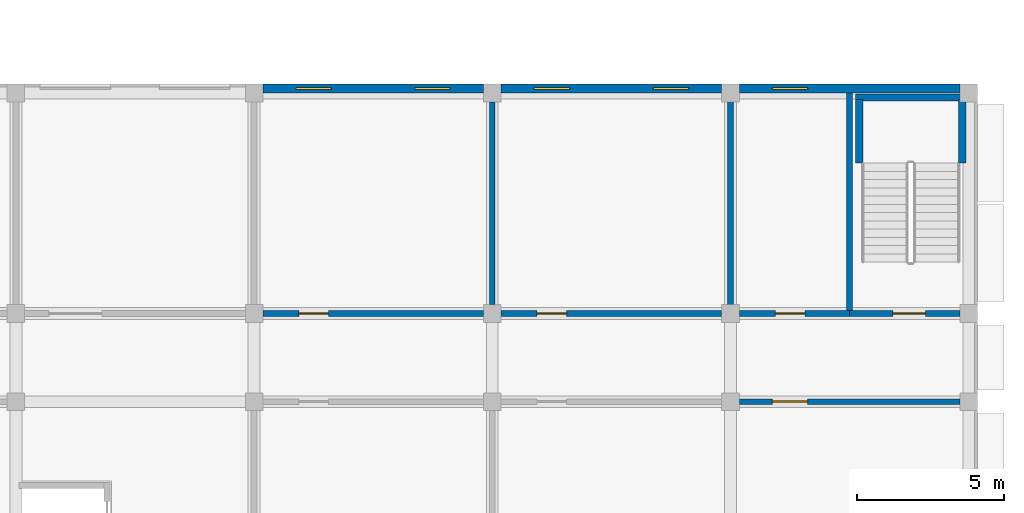
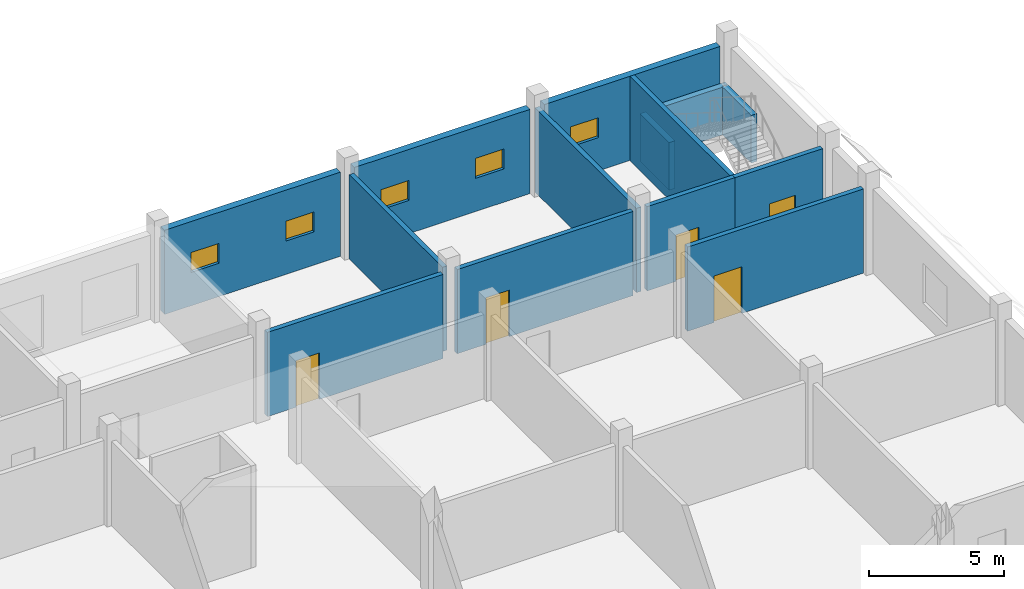
# One storey, part 28 of 38: 14 walls, 5 doors, 5 windows, 10 openings.
"""IFC4 building model written with IfcOpenShell, lengths in metres."""

from ifc_helpers import new_model, si_unit, direction, frame, frame_2d, origin, place, context, subcontext, project, spatial, rectangle, extrude, material, layer, layer_set, type_object, element, fill, save


model = new_model("IFC4")

# Units and contexts
model_context = context("Model", 3, precision=1e-05, world=origin(), true_north=direction((0.0, 1.0)))
body_context = subcontext(model_context, "Body", "Model", "MODEL_VIEW")
ifc_project = project(units=[si_unit("LENGTHUNIT", "METRE"), si_unit("AREAUNIT", "SQUARE_METRE"), si_unit("VOLUMEUNIT", "CUBIC_METRE"), si_unit("PLANEANGLEUNIT", "RADIAN"), si_unit("MASSUNIT", "GRAM", prefix="KILO")], contexts=[model_context])

# Site, building, storey
site_placement = place(None, origin())
site = spatial("IfcSite", under=ifc_project, at=site_placement, CompositionType="ELEMENT")
building_placement = place(site_placement, origin())
building = spatial("IfcBuilding", under=site, at=building_placement, Name="Frailejon Research Tower", CompositionType="ELEMENT")
storey_placement = place(building_placement, frame((0.0, 0.0, 5.60009765625)))
storey = spatial("IfcBuildingStorey", under=building, at=storey_placement, Name="L01", CompositionType="ELEMENT", Elevation=5.60009765625)

# Wall, openings, windows
ifc_material_1 = material(Name="Insulated masonry cavity wall", Category="masonry")
ifc_layer_1 = layer(ifc_material_1, 0.300048828125)
ifc_layer_set_1 = layer_set([ifc_layer_1], Name="HC facade wall 300")
wall_type_1 = type_object("IfcWallType", Name="HC facade wall 300", PredefinedType="SOLIDWALL", material=ifc_layer_set_1)
wall_1_placement = place(storey_placement, frame((77.199951171875, 20.39990234375, 0.0), z_axis=(0.0, 0.0, 1.0), x_axis=(1.0, 0.0, 0.0)))
wall_1 = element("IfcWall", 1, at=wall_1_placement, inside=storey, type_object=wall_type_1, Name="HC facade wall", PredefinedType="SOLIDWALL", context=body_context, shape_type="SweptSolid", body=[
    extrude(rectangle(XDim=7.5, YDim=0.300048828125, at=frame_2d((3.75, 0.0))), origin(), (0.0, 0.0, 1.0), 3.7998046875),
])
opening_1_placement = place(wall_1_placement, frame((1.125, 0.0, 1.5)))
opening_1 = element("IfcOpeningElement", 2, at=opening_1_placement, cuts=wall_1, Name="Opening HW128", PredefinedType="OPENING", context=body_context, shape_type="SweptSolid", body=[
    extrude(rectangle(XDim=1.199951171875, YDim=0.89990234375, at=frame_2d((0.60009765625, 0.449951171875))), frame((0.0, 0.159912109375, 0.0), z_axis=(0.0, -1.0, 0.0), x_axis=(1.0, 0.0, 0.0)), (0.0, 0.0, 1.0), 0.320068359375),
])
opening_2_placement = place(wall_1_placement, frame((5.175048828125, 0.0, 1.5)))
opening_2 = element("IfcOpeningElement", 3, at=opening_2_placement, cuts=wall_1, Name="Opening HW129", PredefinedType="OPENING", context=body_context, shape_type="SweptSolid", body=[
    extrude(rectangle(XDim=1.199951171875, YDim=0.89990234375, at=frame_2d((0.60009765625, 0.449951171875))), frame((0.0, 0.159912109375, 0.0), z_axis=(0.0, -1.0, 0.0), x_axis=(1.0, 0.0, 0.0)), (0.0, 0.0, 1.0), 0.320068359375),
])
ifc_material_2 = material(Name="Aluminium framed double glazing", Category="aluminium")
window_type = type_object("IfcWindowType", Name="HC window 1200x900", PartitioningType="SINGLE_PANEL", PredefinedType="WINDOW", material=ifc_material_2)
window_1_placement = place(opening_1_placement, origin())
window_1 = element("IfcWindow", 4, at=window_1_placement, inside=storey, type_object=window_type, Name="Window HW128 (HCW2)", OverallHeight=0.89990234375, OverallWidth=1.199951171875, PartitioningType="SINGLE_PANEL", PredefinedType="WINDOW", context=body_context, shape_type="SweptSolid", body=[
    extrude(rectangle(XDim=1.199951171875, YDim=0.89990234375, at=frame_2d((0.60009765625, 0.449951171875))), frame((0.0, 0.030029296875, 0.0), z_axis=(0.0, -1.0, 0.0), x_axis=(1.0, 0.0, 0.0)), (0.0, 0.0, 1.0), 0.06005859375),
])
fill(opening_1, window_1)
window_2_placement = place(opening_2_placement, origin())
window_2 = element("IfcWindow", 5, at=window_2_placement, inside=storey, type_object=window_type, Name="Window HW129 (HCW2)", OverallHeight=0.89990234375, OverallWidth=1.199951171875, PartitioningType="SINGLE_PANEL", PredefinedType="WINDOW", context=body_context, shape_type="SweptSolid", body=[
    extrude(rectangle(XDim=1.199951171875, YDim=0.89990234375, at=frame_2d((0.60009765625, 0.449951171875))), frame((0.0, 0.030029296875, 0.0), z_axis=(0.0, -1.0, 0.0), x_axis=(1.0, 0.0, 0.0)), (0.0, 0.0, 1.0), 0.06005859375),
])
fill(opening_2, window_2)

wall_2_placement = place(storey_placement, frame((85.300048828125, 20.39990234375, 0.0), z_axis=(0.0, 0.0, 1.0), x_axis=(1.0, 0.0, 0.0)))
wall_2 = element("IfcWall", 6, at=wall_2_placement, inside=storey, type_object=wall_type_1, Name="HC facade wall", PredefinedType="SOLIDWALL", context=body_context, shape_type="SweptSolid", body=[
    extrude(rectangle(XDim=7.5, YDim=0.300048828125, at=frame_2d((3.75, 0.0))), origin(), (0.0, 0.0, 1.0), 3.7998046875),
])
opening_3_placement = place(wall_2_placement, frame((1.125, 0.0, 1.5)))
opening_3 = element("IfcOpeningElement", 7, at=opening_3_placement, cuts=wall_2, Name="Opening HW130", PredefinedType="OPENING", context=body_context, shape_type="SweptSolid", body=[
    extrude(rectangle(XDim=1.199951171875, YDim=0.89990234375, at=frame_2d((0.60009765625, 0.449951171875))), frame((0.0, 0.159912109375, 0.0), z_axis=(0.0, -1.0, 0.0), x_axis=(1.0, 0.0, 0.0)), (0.0, 0.0, 1.0), 0.320068359375),
])
opening_4_placement = place(wall_2_placement, frame((5.175048828125, 0.0, 1.5)))
opening_4 = element("IfcOpeningElement", 8, at=opening_4_placement, cuts=wall_2, Name="Opening HW131", PredefinedType="OPENING", context=body_context, shape_type="SweptSolid", body=[
    extrude(rectangle(XDim=1.199951171875, YDim=0.89990234375, at=frame_2d((0.60009765625, 0.449951171875))), frame((0.0, 0.159912109375, 0.0), z_axis=(0.0, -1.0, 0.0), x_axis=(1.0, 0.0, 0.0)), (0.0, 0.0, 1.0), 0.320068359375),
])
window_3_placement = place(opening_3_placement, origin())
window_3 = element("IfcWindow", 9, at=window_3_placement, inside=storey, type_object=window_type, Name="Window HW130 (HCW2)", OverallHeight=0.89990234375, OverallWidth=1.199951171875, PartitioningType="SINGLE_PANEL", PredefinedType="WINDOW", context=body_context, shape_type="SweptSolid", body=[
    extrude(rectangle(XDim=1.199951171875, YDim=0.89990234375, at=frame_2d((0.60009765625, 0.449951171875))), frame((0.0, 0.030029296875, 0.0), z_axis=(0.0, -1.0, 0.0), x_axis=(1.0, 0.0, 0.0)), (0.0, 0.0, 1.0), 0.06005859375),
])
fill(opening_3, window_3)
window_4_placement = place(opening_4_placement, origin())
window_4 = element("IfcWindow", 10, at=window_4_placement, inside=storey, type_object=window_type, Name="Window HW131 (HCW2)", OverallHeight=0.89990234375, OverallWidth=1.199951171875, PartitioningType="SINGLE_PANEL", PredefinedType="WINDOW", context=body_context, shape_type="SweptSolid", body=[
    extrude(rectangle(XDim=1.199951171875, YDim=0.89990234375, at=frame_2d((0.60009765625, 0.449951171875))), frame((0.0, 0.030029296875, 0.0), z_axis=(0.0, -1.0, 0.0), x_axis=(1.0, 0.0, 0.0)), (0.0, 0.0, 1.0), 0.06005859375),
])
fill(opening_4, window_4)

# Wall, opening, window
wall_3_placement = place(storey_placement, frame((93.39990234375, 20.39990234375, 0.0), z_axis=(0.0, 0.0, 1.0), x_axis=(1.0, 0.0, 0.0)))
wall_3 = element("IfcWall", 11, at=wall_3_placement, inside=storey, type_object=wall_type_1, Name="HC facade wall", PredefinedType="SOLIDWALL", context=body_context, shape_type="SweptSolid", body=[
    extrude(rectangle(XDim=7.5, YDim=0.300048828125, at=frame_2d((3.75, 0.0))), origin(), (0.0, 0.0, 1.0), 3.7998046875),
])
opening_5_placement = place(wall_3_placement, frame((1.125, 0.0, 1.5)))
opening_5 = element("IfcOpeningElement", 12, at=opening_5_placement, cuts=wall_3, Name="Opening HW132", PredefinedType="OPENING", context=body_context, shape_type="SweptSolid", body=[
    extrude(rectangle(XDim=1.199951171875, YDim=0.89990234375, at=frame_2d((0.60009765625, 0.449951171875))), frame((0.0, 0.159912109375, 0.0), z_axis=(0.0, -1.0, 0.0), x_axis=(1.0, 0.0, 0.0)), (0.0, 0.0, 1.0), 0.320068359375),
])
window_5_placement = place(opening_5_placement, origin())
window_5 = element("IfcWindow", 13, at=window_5_placement, inside=storey, type_object=window_type, Name="Window HW132 (HCW2)", OverallHeight=0.89990234375, OverallWidth=1.199951171875, PartitioningType="SINGLE_PANEL", PredefinedType="WINDOW", context=body_context, shape_type="SweptSolid", body=[
    extrude(rectangle(XDim=1.199951171875, YDim=0.89990234375, at=frame_2d((0.60009765625, 0.449951171875))), frame((0.0, 0.030029296875, 0.0), z_axis=(0.0, -1.0, 0.0), x_axis=(1.0, 0.0, 0.0)), (0.0, 0.0, 1.0), 0.06005859375),
])
fill(opening_5, window_5)

# Walls
ifc_material_3 = material(Name="Concrete C35/45", Category="concrete")
ifc_layer_2 = layer(ifc_material_3, 0.199951171875)
ifc_layer_set_2 = layer_set([ifc_layer_2], Name="HC fire wall 200")
wall_type_2 = type_object("IfcWallType", Name="HC fire wall 200", PredefinedType="SOLIDWALL", material=ifc_layer_set_2)
wall_4_placement = place(storey_placement, frame((85.0, 13.050048828125, 0.0), z_axis=(0.0, 0.0, 1.0), x_axis=(0.0, 1.0, 0.0)))
element("IfcWall", 14, at=wall_4_placement, inside=storey, type_object=wall_type_2, Name="HC fire-resisting wall", PredefinedType="SOLIDWALL", context=body_context, shape_type="SweptSolid", body=[
    extrude(rectangle(XDim=6.89990234375, YDim=0.199951171875, at=frame_2d((3.449951171875, 0.0))), origin(), (0.0, 0.0, 1.0), 3.7998046875),
])
wall_5_placement = place(storey_placement, frame((93.10009765625, 12.75, 0.0), z_axis=(0.0, 0.0, 1.0), x_axis=(0.0, 1.0, 0.0)))
element("IfcWall", 15, at=wall_5_placement, inside=storey, type_object=wall_type_2, Name="HC fire-resisting wall", PredefinedType="SOLIDWALL", context=body_context, shape_type="SweptSolid", body=[
    extrude(rectangle(XDim=7.5, YDim=0.199951171875, at=frame_2d((3.75, 0.0))), origin(), (0.0, 0.0, 1.0), 3.7998046875),
])
wall_6_placement = place(storey_placement, frame((97.14990234375, 12.85009765625, 0.0), z_axis=(0.0, 0.0, 1.0), x_axis=(0.0, 1.0, 0.0)))
element("IfcWall", 16, at=wall_6_placement, inside=storey, type_object=wall_type_2, Name="HC fire-resisting wall", PredefinedType="SOLIDWALL", context=body_context, shape_type="SweptSolid", body=[
    extrude(rectangle(XDim=7.39990234375, YDim=0.199951171875, at=frame_2d((3.699951171875, 0.0))), origin(), (0.0, 0.0, 1.0), 3.7998046875),
])

# Wall, opening, door
wall_7_placement = place(storey_placement, frame((85.300048828125, 12.75, 0.0), z_axis=(0.0, 0.0, 1.0), x_axis=(1.0, 0.0, 0.0)))
wall_7 = element("IfcWall", 17, at=wall_7_placement, inside=storey, type_object=wall_type_2, Name="HC fire-resisting wall", PredefinedType="SOLIDWALL", context=body_context, shape_type="SweptSolid", body=[
    extrude(rectangle(XDim=7.5, YDim=0.199951171875, at=frame_2d((3.75, 0.0))), origin(), (0.0, 0.0, 1.0), 3.7998046875),
])
opening_6_placement = place(wall_7_placement, frame((1.22509765625, 0.0, 0.0)))
opening_6 = element("IfcOpeningElement", 18, at=opening_6_placement, cuts=wall_7, Name="Opening HD138", PredefinedType="OPENING", context=body_context, shape_type="SweptSolid", body=[
    extrude(rectangle(XDim=1.0, YDim=2.10009765625, at=frame_2d((0.5, 1.050048828125))), frame((0.0, 0.10986328125, 0.0), z_axis=(0.0, -1.0, 0.0), x_axis=(1.0, 0.0, 0.0)), (0.0, 0.0, 1.0), 0.219970703125),
])
ifc_material_4 = material(Name="Steel fire door leaf", Category="steel")
door_type_1 = type_object("IfcDoorType", Name="HC plant door 1000", OperationType="SINGLE_SWING_LEFT", PredefinedType="DOOR", material=ifc_material_4)
door_1_placement = place(opening_6_placement, origin())
door_1 = element("IfcDoor", 19, at=door_1_placement, inside=storey, type_object=door_type_1, Name="Door HD138", OperationType="SINGLE_SWING_LEFT", OverallHeight=2.10009765625, OverallWidth=1.0, PredefinedType="DOOR", context=body_context, shape_type="SweptSolid", body=[
    extrude(rectangle(XDim=1.0, YDim=2.10009765625, at=frame_2d((0.5, 1.050048828125))), frame((0.0, 0.02490234375, 0.0), z_axis=(0.0, -1.0, 0.0), x_axis=(1.0, 0.0, 0.0)), (0.0, 0.0, 1.0), 0.050048828125),
])
fill(opening_6, door_1)

wall_8_placement = place(storey_placement, frame((97.14990234375, 12.75, 0.0), z_axis=(0.0, 0.0, 1.0), x_axis=(1.0, 0.0, 0.0)))
wall_8 = element("IfcWall", 20, at=wall_8_placement, inside=storey, type_object=wall_type_2, Name="HC fire-resisting wall", PredefinedType="SOLIDWALL", context=body_context, shape_type="SweptSolid", body=[
    extrude(rectangle(XDim=3.75, YDim=0.199951171875, at=frame_2d((1.875, 0.0))), origin(), (0.0, 0.0, 1.0), 3.7998046875),
])
opening_7_placement = place(wall_8_placement, frame((1.47509765625, 0.0, 0.0)))
opening_7 = element("IfcOpeningElement", 21, at=opening_7_placement, cuts=wall_8, Name="Opening HD140", PredefinedType="OPENING", context=body_context, shape_type="SweptSolid", body=[
    extrude(rectangle(XDim=1.10009765625, YDim=2.10009765625, at=frame_2d((0.550048828125, 1.050048828125))), frame((0.0, 0.10986328125, 0.0), z_axis=(0.0, -1.0, 0.0), x_axis=(1.0, 0.0, 0.0)), (0.0, 0.0, 1.0), 0.219970703125),
])
ifc_material_5 = material(Name="Steel fire door leaf", Category="steel")
door_type_2 = type_object("IfcDoorType", Name="HC stair door 1100 left", OperationType="SINGLE_SWING_LEFT", PredefinedType="DOOR", material=ifc_material_5)
door_2_placement = place(opening_7_placement, origin())
door_2 = element("IfcDoor", 22, at=door_2_placement, inside=storey, type_object=door_type_2, Name="Door HD140", OperationType="SINGLE_SWING_LEFT", OverallHeight=2.10009765625, OverallWidth=1.10009765625, PredefinedType="DOOR", context=body_context, shape_type="SweptSolid", body=[
    extrude(rectangle(XDim=1.10009765625, YDim=2.10009765625, at=frame_2d((0.550048828125, 1.050048828125))), frame((0.0, 0.02490234375, 0.0), z_axis=(0.0, -1.0, 0.0), x_axis=(1.0, 0.0, 0.0)), (0.0, 0.0, 1.0), 0.050048828125),
])
fill(opening_7, door_2)

ifc_material_6 = material(Name="Masonry blockwork partition", Category="masonry")
ifc_layer_3 = layer(ifc_material_6, 0.199951171875)
ifc_layer_set_3 = layer_set([ifc_layer_3], Name="HC partition 200")
wall_type_3 = type_object("IfcWallType", Name="HC partition 200", PredefinedType="PARTITIONING", material=ifc_layer_set_3)
wall_9_placement = place(storey_placement, frame((93.39990234375, 9.75, 0.0), z_axis=(0.0, 0.0, 1.0), x_axis=(1.0, 0.0, 0.0)))
wall_9 = element("IfcWall", 23, at=wall_9_placement, inside=storey, type_object=wall_type_3, Name="HC partition", PredefinedType="PARTITIONING", context=body_context, shape_type="SweptSolid", body=[
    extrude(rectangle(XDim=7.5, YDim=0.199951171875, at=frame_2d((3.75, 0.0))), origin(), (0.0, 0.0, 1.0), 3.7998046875),
])
opening_8_placement = place(wall_9_placement, frame((1.125, 0.0, 0.0)))
opening_8 = element("IfcOpeningElement", 24, at=opening_8_placement, cuts=wall_9, Name="Opening HD129", PredefinedType="OPENING", context=body_context, shape_type="SweptSolid", body=[
    extrude(rectangle(XDim=1.199951171875, YDim=2.10009765625, at=frame_2d((0.60009765625, 1.050048828125))), frame((0.0, 0.10986328125, 0.0), z_axis=(0.0, -1.0, 0.0), x_axis=(1.0, 0.0, 0.0)), (0.0, 0.0, 1.0), 0.219970703125),
])
ifc_material_7 = material(Name="Timber veneered fire door leaf", Category="wood")
door_type_3 = type_object("IfcDoorType", Name="HC door 1200 right", OperationType="SINGLE_SWING_RIGHT", PredefinedType="DOOR", material=ifc_material_7)
door_3_placement = place(opening_8_placement, origin())
door_3 = element("IfcDoor", 25, at=door_3_placement, inside=storey, type_object=door_type_3, Name="Door HD129", OperationType="SINGLE_SWING_RIGHT", OverallHeight=2.10009765625, OverallWidth=1.199951171875, PredefinedType="DOOR", context=body_context, shape_type="SweptSolid", body=[
    extrude(rectangle(XDim=1.199951171875, YDim=2.10009765625, at=frame_2d((0.60009765625, 1.050048828125))), frame((0.0, 0.02490234375, 0.0), z_axis=(0.0, -1.0, 0.0), x_axis=(1.0, 0.0, 0.0)), (0.0, 0.0, 1.0), 0.050048828125),
])
fill(opening_8, door_3)

wall_10_placement = place(storey_placement, frame((77.199951171875, 12.75, 0.0), z_axis=(0.0, 0.0, 1.0), x_axis=(1.0, 0.0, 0.0)))
wall_10 = element("IfcWall", 26, at=wall_10_placement, inside=storey, type_object=wall_type_3, Name="HC partition", PredefinedType="PARTITIONING", context=body_context, shape_type="SweptSolid", body=[
    extrude(rectangle(XDim=7.5, YDim=0.199951171875, at=frame_2d((3.75, 0.0))), origin(), (0.0, 0.0, 1.0), 3.7998046875),
])
opening_9_placement = place(wall_10_placement, frame((1.22509765625, 0.0, 0.0)))
opening_9 = element("IfcOpeningElement", 27, at=opening_9_placement, cuts=wall_10, Name="Opening HD137", PredefinedType="OPENING", context=body_context, shape_type="SweptSolid", body=[
    extrude(rectangle(XDim=1.0, YDim=2.10009765625, at=frame_2d((0.5, 1.050048828125))), frame((0.0, 0.10986328125, 0.0), z_axis=(0.0, -1.0, 0.0), x_axis=(1.0, 0.0, 0.0)), (0.0, 0.0, 1.0), 0.219970703125),
])
ifc_material_8 = material(Name="Timber veneered fire door leaf", Category="wood")
door_type_4 = type_object("IfcDoorType", Name="HC door 1000 right", OperationType="SINGLE_SWING_RIGHT", PredefinedType="DOOR", material=ifc_material_8)
door_4_placement = place(opening_9_placement, origin())
door_4 = element("IfcDoor", 28, at=door_4_placement, inside=storey, type_object=door_type_4, Name="Door HD137", OperationType="SINGLE_SWING_RIGHT", OverallHeight=2.10009765625, OverallWidth=1.0, PredefinedType="DOOR", context=body_context, shape_type="SweptSolid", body=[
    extrude(rectangle(XDim=1.0, YDim=2.10009765625, at=frame_2d((0.5, 1.050048828125))), frame((0.0, 0.02490234375, 0.0), z_axis=(0.0, -1.0, 0.0), x_axis=(1.0, 0.0, 0.0)), (0.0, 0.0, 1.0), 0.050048828125),
])
fill(opening_9, door_4)

wall_11_placement = place(storey_placement, frame((93.39990234375, 12.75, 0.0), z_axis=(0.0, 0.0, 1.0), x_axis=(1.0, 0.0, 0.0)))
wall_11 = element("IfcWall", 29, at=wall_11_placement, inside=storey, type_object=wall_type_3, Name="HC partition", PredefinedType="PARTITIONING", context=body_context, shape_type="SweptSolid", body=[
    extrude(rectangle(XDim=3.75, YDim=0.199951171875, at=frame_2d((1.875, 0.0))), origin(), (0.0, 0.0, 1.0), 3.7998046875),
])
opening_10_placement = place(wall_11_placement, frame((1.22509765625, 0.0, 0.0)))
opening_10 = element("IfcOpeningElement", 30, at=opening_10_placement, cuts=wall_11, Name="Opening HD139", PredefinedType="OPENING", context=body_context, shape_type="SweptSolid", body=[
    extrude(rectangle(XDim=1.0, YDim=2.10009765625, at=frame_2d((0.5, 1.050048828125))), frame((0.0, 0.10986328125, 0.0), z_axis=(0.0, -1.0, 0.0), x_axis=(1.0, 0.0, 0.0)), (0.0, 0.0, 1.0), 0.219970703125),
])
door_5_placement = place(opening_10_placement, origin())
door_5 = element("IfcDoor", 31, at=door_5_placement, inside=storey, type_object=door_type_4, Name="Door HD139", OperationType="SINGLE_SWING_RIGHT", OverallHeight=2.10009765625, OverallWidth=1.0, PredefinedType="DOOR", context=body_context, shape_type="SweptSolid", body=[
    extrude(rectangle(XDim=1.0, YDim=2.10009765625, at=frame_2d((0.5, 1.050048828125))), frame((0.0, 0.02490234375, 0.0), z_axis=(0.0, -1.0, 0.0), x_axis=(1.0, 0.0, 0.0)), (0.0, 0.0, 1.0), 0.050048828125),
])
fill(opening_10, door_5)

# Walls
ifc_material_9 = material(Name="Concrete C35/45", Category="concrete")
ifc_layer_4 = layer(ifc_material_9, 0.25)
ifc_layer_set_4 = layer_set([ifc_layer_4], Name="HC stair landing wall 250")
wall_type_4 = type_object("IfcWallType", Name="HC stair landing wall 250", PredefinedType="SOLIDWALL", material=ifc_layer_set_4)
for number, where, z_axis, x_axis, name in (
    (32, (97.47509765625, 17.860107421875, 0.0), (0.0, 0.0, 1.0), (0.0, 1.0, 0.0), "HC stair landing wall"),
    (33, (100.97509765625, 17.860107421875, 0.0), (0.0, 0.0, 1.0), (0.0, 1.0, 0.0), "HC stair landing wall"),
):
    element("IfcWall", number, at=place(storey_placement, frame(where, z_axis=z_axis, x_axis=x_axis)), inside=storey, type_object=wall_type_4, Name=name, PredefinedType="SOLIDWALL", context=body_context, shape_type="SweptSolid", body=[
        extrude(rectangle(XDim=2.159912109375, YDim=0.25, at=frame_2d((1.080078125, 0.0))), origin(), (0.0, 0.0, 1.0), 2.14990234375),
    ])
wall_12_placement = place(storey_placement, frame((97.35009765625, 20.094970703125, 0.0), z_axis=(0.0, 0.0, 1.0), x_axis=(1.0, 0.0, 0.0)))
element("IfcWall", 34, at=wall_12_placement, inside=storey, type_object=wall_type_4, Name="HC stair landing wall", PredefinedType="SOLIDWALL", context=body_context, shape_type="SweptSolid", body=[
    extrude(rectangle(XDim=3.75, YDim=0.25, at=frame_2d((1.875, 0.0))), origin(), (0.0, 0.0, 1.0), 2.14990234375),
])

save(model, "model.ifc")
